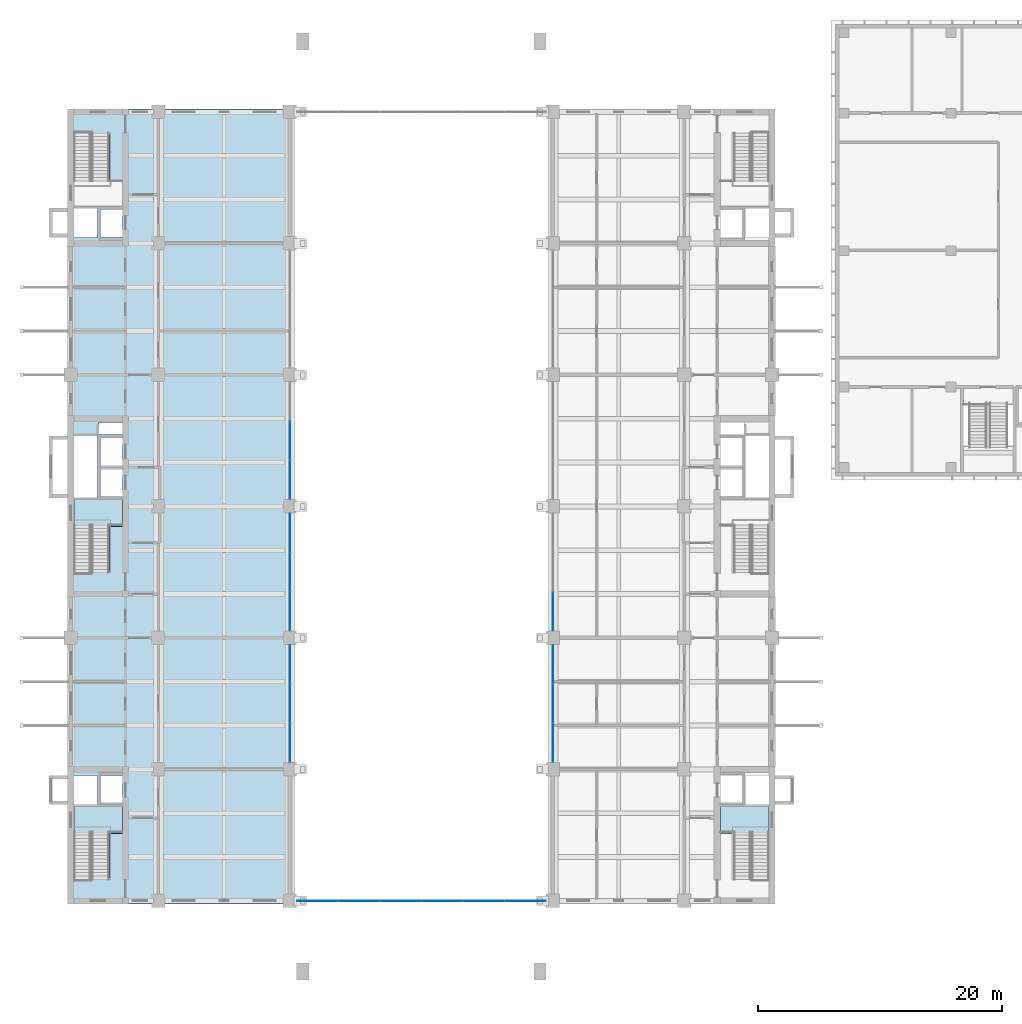
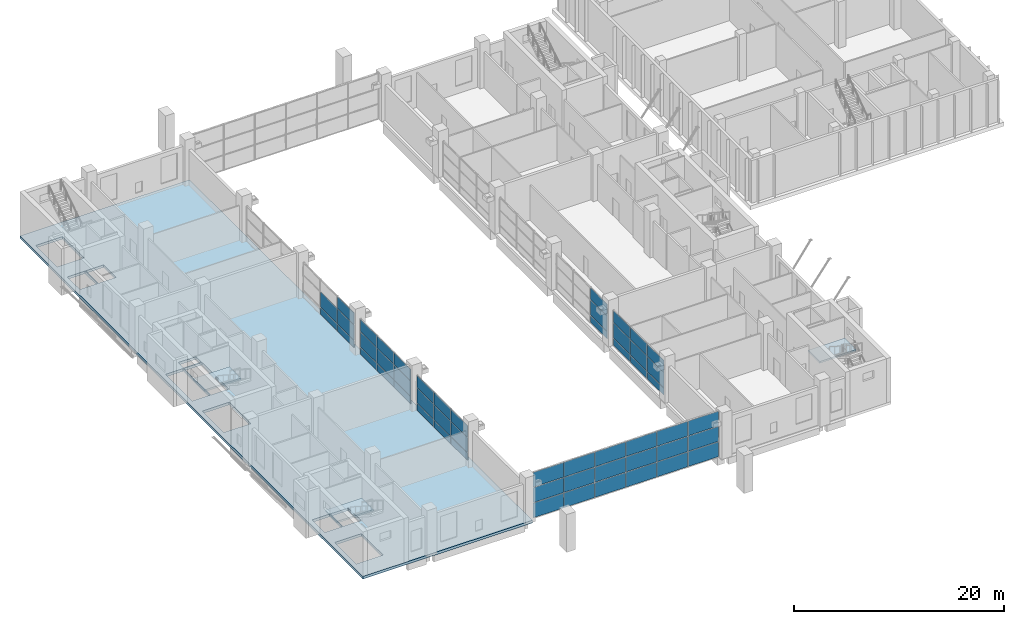
# One storey, part 14 of 38: 53 plates, 4 slabs, 9 elements without a shape of their own.
"""IFC4 building model written with IfcOpenShell, lengths in metres."""

from ifc_helpers import new_model, si_unit, direction, frame, origin, origin_2d, place, context, subcontext, project, spatial, polyline, rectangle, outline, extrude, material, layer, layer_set, type_object, element, aggregate, save


model = new_model("IFC4")

# Units and contexts
model_context = context("Model", 3, precision=1e-05, world=origin(), true_north=direction((0.0, 1.0)))
body_context = subcontext(model_context, "Body", "Model", "MODEL_VIEW")
ifc_project = project(units=[si_unit("LENGTHUNIT", "METRE"), si_unit("AREAUNIT", "SQUARE_METRE"), si_unit("VOLUMEUNIT", "CUBIC_METRE"), si_unit("PLANEANGLEUNIT", "RADIAN"), si_unit("MASSUNIT", "GRAM", prefix="KILO")], contexts=[model_context])

# Site, building, storey
site_placement = place(None, origin())
site = spatial("IfcSite", under=ifc_project, at=site_placement, CompositionType="ELEMENT")
building_placement = place(site_placement, origin())
building = spatial("IfcBuilding", under=site, at=building_placement, Name="Basin Gate Institute", CompositionType="ELEMENT")
storey_placement = place(building_placement, frame((0.0, 0.0, 16.800048828125)))
storey = spatial("IfcBuildingStorey", under=building, at=storey_placement, Name="L03", CompositionType="ELEMENT", Elevation=16.800048828125)

# Curtain wall, plates
ifc_material_1 = material(Name="Aluminium and glass curtain wall", Category="aluminium")
ifc_layer_1 = layer(ifc_material_1, 0.14990234375)
ifc_layer_set_1 = layer_set([ifc_layer_1], Name="Atrium curtain wall CW81")
curtain_wall_type_1 = type_object("IfcCurtainWallType", Name="Atrium curtain wall CW81", PredefinedType="NOTDEFINED", material=ifc_layer_set_1)
curtain_wall_1_placement = place(storey_placement, origin())
curtain_wall_1 = element("IfcCurtainWall", 1, at=curtain_wall_1_placement, inside=storey, type_object=curtain_wall_type_1, material=ifc_layer_set_1, Name="Atrium end screen S L03", PredefinedType="NOTDEFINED")
ifc_material_2 = material(Name="Toughened glass", Category="glass")
ifc_layer_2 = layer(ifc_material_2, 0.028076171875)
ifc_layer_set_2 = layer_set([ifc_layer_2], Name="Atrium glass panel PN81")
plate_type_1 = type_object("IfcPlateType", Name="Atrium glass panel PN81", PredefinedType="CURTAIN_PANEL", material=ifc_layer_set_2)
plate_1_placement = place(storey_placement, frame((81.473388671875, 35.10009765625, 0.06005859375), z_axis=(0.0, 0.0, 1.0), x_axis=(1.0, 0.0, 0.0)))
plate_1 = element("IfcPlate", 2, at=plate_1_placement, type_object=plate_type_1, material=ifc_layer_set_2, Name="CW81 panel 1.1", PredefinedType="CURTAIN_PANEL", context=body_context, shape_type="SweptSolid", body=[
    extrude(rectangle(XDim=3.32666015625, YDim=0.028076171875, at=origin_2d()), origin(), (0.0, 0.0, 1.0), 1.7099609375),
])
plate_2_placement = place(storey_placement, frame((81.473388671875, 35.10009765625, 1.830078125), z_axis=(0.0, 0.0, 1.0), x_axis=(1.0, 0.0, 0.0)))
plate_2 = element("IfcPlate", 3, at=plate_2_placement, type_object=plate_type_1, material=ifc_layer_set_2, Name="CW81 panel 1.2", PredefinedType="CURTAIN_PANEL", context=body_context, shape_type="SweptSolid", body=[
    extrude(rectangle(XDim=3.32666015625, YDim=0.028076171875, at=origin_2d()), origin(), (0.0, 0.0, 1.0), 1.739990234375),
])
plate_3_placement = place(storey_placement, frame((81.473388671875, 35.10009765625, 3.6298828125), z_axis=(0.0, 0.0, 1.0), x_axis=(1.0, 0.0, 0.0)))
plate_3 = element("IfcPlate", 4, at=plate_3_placement, type_object=plate_type_1, material=ifc_layer_set_2, Name="CW81 panel 1.3", PredefinedType="CURTAIN_PANEL", context=body_context, shape_type="SweptSolid", body=[
    extrude(rectangle(XDim=3.32666015625, YDim=0.028076171875, at=origin_2d()), origin(), (0.0, 0.0, 1.0), 1.7099609375),
])
plate_4_placement = place(storey_placement, frame((84.875, 35.10009765625, 0.06005859375), z_axis=(0.0, 0.0, 1.0), x_axis=(1.0, 0.0, 0.0)))
plate_4 = element("IfcPlate", 5, at=plate_4_placement, type_object=plate_type_1, material=ifc_layer_set_2, Name="CW81 panel 2.1", PredefinedType="CURTAIN_PANEL", context=body_context, shape_type="SweptSolid", body=[
    extrude(rectangle(XDim=3.356689453125, YDim=0.028076171875, at=origin_2d()), origin(), (0.0, 0.0, 1.0), 1.7099609375),
])
plate_5_placement = place(storey_placement, frame((84.875, 35.10009765625, 1.830078125), z_axis=(0.0, 0.0, 1.0), x_axis=(1.0, 0.0, 0.0)))
plate_5 = element("IfcPlate", 6, at=plate_5_placement, type_object=plate_type_1, material=ifc_layer_set_2, Name="CW81 panel 2.2", PredefinedType="CURTAIN_PANEL", context=body_context, shape_type="SweptSolid", body=[
    extrude(rectangle(XDim=3.356689453125, YDim=0.028076171875, at=origin_2d()), origin(), (0.0, 0.0, 1.0), 1.739990234375),
])
plate_6_placement = place(storey_placement, frame((84.875, 35.10009765625, 3.6298828125), z_axis=(0.0, 0.0, 1.0), x_axis=(1.0, 0.0, 0.0)))
plate_6 = element("IfcPlate", 7, at=plate_6_placement, type_object=plate_type_1, material=ifc_layer_set_2, Name="CW81 panel 2.3", PredefinedType="CURTAIN_PANEL", context=body_context, shape_type="SweptSolid", body=[
    extrude(rectangle(XDim=3.356689453125, YDim=0.028076171875, at=origin_2d()), origin(), (0.0, 0.0, 1.0), 1.7099609375),
])
plate_7_placement = place(storey_placement, frame((88.291748046875, 35.10009765625, 0.06005859375), z_axis=(0.0, 0.0, 1.0), x_axis=(1.0, 0.0, 0.0)))
plate_7 = element("IfcPlate", 8, at=plate_7_placement, type_object=plate_type_1, material=ifc_layer_set_2, Name="CW81 panel 3.1", PredefinedType="CURTAIN_PANEL", context=body_context, shape_type="SweptSolid", body=[
    extrude(rectangle(XDim=3.356689453125, YDim=0.028076171875, at=origin_2d()), origin(), (0.0, 0.0, 1.0), 1.7099609375),
])
plate_8_placement = place(storey_placement, frame((88.291748046875, 35.10009765625, 1.830078125), z_axis=(0.0, 0.0, 1.0), x_axis=(1.0, 0.0, 0.0)))
plate_8 = element("IfcPlate", 9, at=plate_8_placement, type_object=plate_type_1, material=ifc_layer_set_2, Name="CW81 panel 3.2", PredefinedType="CURTAIN_PANEL", context=body_context, shape_type="SweptSolid", body=[
    extrude(rectangle(XDim=3.356689453125, YDim=0.028076171875, at=origin_2d()), origin(), (0.0, 0.0, 1.0), 1.739990234375),
])
plate_9_placement = place(storey_placement, frame((88.291748046875, 35.10009765625, 3.6298828125), z_axis=(0.0, 0.0, 1.0), x_axis=(1.0, 0.0, 0.0)))
plate_9 = element("IfcPlate", 10, at=plate_9_placement, type_object=plate_type_1, material=ifc_layer_set_2, Name="CW81 panel 3.3", PredefinedType="CURTAIN_PANEL", context=body_context, shape_type="SweptSolid", body=[
    extrude(rectangle(XDim=3.356689453125, YDim=0.028076171875, at=origin_2d()), origin(), (0.0, 0.0, 1.0), 1.7099609375),
])
plate_10_placement = place(storey_placement, frame((91.708251953125, 35.10009765625, 0.06005859375), z_axis=(0.0, 0.0, 1.0), x_axis=(1.0, 0.0, 0.0)))
plate_10 = element("IfcPlate", 11, at=plate_10_placement, type_object=plate_type_1, material=ifc_layer_set_2, Name="CW81 panel 4.1", PredefinedType="CURTAIN_PANEL", context=body_context, shape_type="SweptSolid", body=[
    extrude(rectangle(XDim=3.356689453125, YDim=0.028076171875, at=origin_2d()), origin(), (0.0, 0.0, 1.0), 1.7099609375),
])
plate_11_placement = place(storey_placement, frame((91.708251953125, 35.10009765625, 1.830078125), z_axis=(0.0, 0.0, 1.0), x_axis=(1.0, 0.0, 0.0)))
plate_11 = element("IfcPlate", 12, at=plate_11_placement, type_object=plate_type_1, material=ifc_layer_set_2, Name="CW81 panel 4.2", PredefinedType="CURTAIN_PANEL", context=body_context, shape_type="SweptSolid", body=[
    extrude(rectangle(XDim=3.356689453125, YDim=0.028076171875, at=origin_2d()), origin(), (0.0, 0.0, 1.0), 1.739990234375),
])
plate_12_placement = place(storey_placement, frame((91.708251953125, 35.10009765625, 3.6298828125), z_axis=(0.0, 0.0, 1.0), x_axis=(1.0, 0.0, 0.0)))
plate_12 = element("IfcPlate", 13, at=plate_12_placement, type_object=plate_type_1, material=ifc_layer_set_2, Name="CW81 panel 4.3", PredefinedType="CURTAIN_PANEL", context=body_context, shape_type="SweptSolid", body=[
    extrude(rectangle(XDim=3.356689453125, YDim=0.028076171875, at=origin_2d()), origin(), (0.0, 0.0, 1.0), 1.7099609375),
])
plate_13_placement = place(storey_placement, frame((95.125, 35.10009765625, 0.06005859375), z_axis=(0.0, 0.0, 1.0), x_axis=(1.0, 0.0, 0.0)))
plate_13 = element("IfcPlate", 14, at=plate_13_placement, type_object=plate_type_1, material=ifc_layer_set_2, Name="CW81 panel 5.1", PredefinedType="CURTAIN_PANEL", context=body_context, shape_type="SweptSolid", body=[
    extrude(rectangle(XDim=3.356689453125, YDim=0.028076171875, at=origin_2d()), origin(), (0.0, 0.0, 1.0), 1.7099609375),
])
plate_14_placement = place(storey_placement, frame((95.125, 35.10009765625, 1.830078125), z_axis=(0.0, 0.0, 1.0), x_axis=(1.0, 0.0, 0.0)))
plate_14 = element("IfcPlate", 15, at=plate_14_placement, type_object=plate_type_1, material=ifc_layer_set_2, Name="CW81 panel 5.2", PredefinedType="CURTAIN_PANEL", context=body_context, shape_type="SweptSolid", body=[
    extrude(rectangle(XDim=3.356689453125, YDim=0.028076171875, at=origin_2d()), origin(), (0.0, 0.0, 1.0), 1.739990234375),
])
plate_15_placement = place(storey_placement, frame((95.125, 35.10009765625, 3.6298828125), z_axis=(0.0, 0.0, 1.0), x_axis=(1.0, 0.0, 0.0)))
plate_15 = element("IfcPlate", 16, at=plate_15_placement, type_object=plate_type_1, material=ifc_layer_set_2, Name="CW81 panel 5.3", PredefinedType="CURTAIN_PANEL", context=body_context, shape_type="SweptSolid", body=[
    extrude(rectangle(XDim=3.356689453125, YDim=0.028076171875, at=origin_2d()), origin(), (0.0, 0.0, 1.0), 1.7099609375),
])
plate_16_placement = place(storey_placement, frame((98.526611328125, 35.10009765625, 0.06005859375), z_axis=(0.0, 0.0, 1.0), x_axis=(1.0, 0.0, 0.0)))
plate_16 = element("IfcPlate", 17, at=plate_16_placement, type_object=plate_type_1, material=ifc_layer_set_2, Name="CW81 panel 6.1", PredefinedType="CURTAIN_PANEL", context=body_context, shape_type="SweptSolid", body=[
    extrude(rectangle(XDim=3.32666015625, YDim=0.028076171875, at=origin_2d()), origin(), (0.0, 0.0, 1.0), 1.7099609375),
])
plate_17_placement = place(storey_placement, frame((98.526611328125, 35.10009765625, 1.830078125), z_axis=(0.0, 0.0, 1.0), x_axis=(1.0, 0.0, 0.0)))
plate_17 = element("IfcPlate", 18, at=plate_17_placement, type_object=plate_type_1, material=ifc_layer_set_2, Name="CW81 panel 6.2", PredefinedType="CURTAIN_PANEL", context=body_context, shape_type="SweptSolid", body=[
    extrude(rectangle(XDim=3.32666015625, YDim=0.028076171875, at=origin_2d()), origin(), (0.0, 0.0, 1.0), 1.739990234375),
])
plate_18_placement = place(storey_placement, frame((98.526611328125, 35.10009765625, 3.6298828125), z_axis=(0.0, 0.0, 1.0), x_axis=(1.0, 0.0, 0.0)))
plate_18 = element("IfcPlate", 19, at=plate_18_placement, type_object=plate_type_1, material=ifc_layer_set_2, Name="CW81 panel 6.3", PredefinedType="CURTAIN_PANEL", context=body_context, shape_type="SweptSolid", body=[
    extrude(rectangle(XDim=3.32666015625, YDim=0.028076171875, at=origin_2d()), origin(), (0.0, 0.0, 1.0), 1.7099609375),
])
aggregate(curtain_wall_1, [plate_1, plate_2, plate_3, plate_4, plate_5, plate_6, plate_7, plate_8, plate_9, plate_10, plate_11, plate_12, plate_13, plate_14, plate_15, plate_16, plate_17, plate_18])

# Slab
ifc_material_3 = material(Name="Concrete 40 MPa", Category="concrete")
ifc_layer_3 = layer(ifc_material_3, 0.300048828125)
ifc_layer_set_3 = layer_set([ifc_layer_3], Name="Concrete 40 MPa")
slab_type_1 = type_object("IfcSlabType", Name="Slab SL3 R180", PredefinedType="FLOOR", material=ifc_layer_set_3)
slab_1_placement = place(storey_placement, frame((0.0, 0.0, -0.300048828125)))
element("IfcSlab", 20, at=slab_1_placement, inside=storey, type_object=slab_type_1, material=ifc_layer_set_3, Name="SLAB/L03/W", PredefinedType="FLOOR", context=body_context, shape_type="SweptSolid", body=[
    extrude(outline(polyline([(60.949951171875, 34.85009765625), (79.60009765625, 34.85009765625), (79.60009765625, 100.14990234375), (60.949951171875, 100.14990234375), (60.949951171875, 34.85009765625)]), holes=[polyline([(61.449951171875, 36.969970703125), (64.39990234375, 36.969970703125), (64.39990234375, 41.070068359375), (61.449951171875, 41.070068359375), (61.449951171875, 36.969970703125)]), polyline([(61.449951171875, 62.169921875), (64.39990234375, 62.169921875), (64.39990234375, 66.27001953125), (61.449951171875, 66.27001953125), (61.449951171875, 62.169921875)]), polyline([(61.449951171875, 93.929931640625), (64.39990234375, 93.929931640625), (64.39990234375, 98.030029296875), (61.449951171875, 98.030029296875), (61.449951171875, 93.929931640625)]), polyline([(61.449951171875, 43.0), (63.39990234375, 43.0), (63.39990234375, 45.39990234375), (61.449951171875, 45.39990234375), (61.449951171875, 43.0)]), polyline([(61.449951171875, 68.199951171875), (63.39990234375, 68.199951171875), (63.39990234375, 73.300048828125), (61.449951171875, 73.300048828125), (61.449951171875, 68.199951171875)]), polyline([(63.5, 73.39990234375), (65.449951171875, 73.39990234375), (65.449951171875, 74.39990234375), (63.5, 74.39990234375), (63.5, 73.39990234375)]), polyline([(61.449951171875, 89.60009765625), (63.39990234375, 89.60009765625), (63.39990234375, 92.0), (61.449951171875, 92.0), (61.449951171875, 89.60009765625)]), polyline([(63.5, 43.0), (65.449951171875, 43.0), (65.449951171875, 45.39990234375), (63.5, 45.39990234375), (63.5, 43.0)]), polyline([(65.449951171875, 68.199951171875), (63.5, 68.199951171875), (63.5, 73.300048828125), (65.449951171875, 73.300048828125), (65.449951171875, 68.199951171875)]), polyline([(63.5, 89.60009765625), (65.449951171875, 89.60009765625), (65.449951171875, 92.0), (63.5, 92.0), (63.5, 89.60009765625)])]), origin(), (0.0, 0.0, 1.0), 0.300048828125),
])

# Curtain wall, plates
ifc_material_4 = material(Name="Fire-resistant glazing in steel-free frame", Category="steel")
ifc_layer_4 = layer(ifc_material_4, 0.199951171875)
ifc_layer_set_4 = layer_set([ifc_layer_4], Name="Fire-resistant glazing in steel-free frame")
curtain_wall_type_2 = type_object("IfcCurtainWallType", Name="Atrium rated curtain wall CW3", PredefinedType="NOTDEFINED", material=ifc_layer_set_4)
curtain_wall_2_placement = place(storey_placement, origin())
curtain_wall_2 = element("IfcCurtainWall", 21, at=curtain_wall_2_placement, inside=storey, type_object=curtain_wall_type_2, material=ifc_layer_set_4, Name="Atrium rated curtain wall W wing atrium bay 2 L03", PredefinedType="NOTDEFINED")
ifc_material_5 = material(Name="Fire-resisting board panel")
ifc_layer_5 = layer(ifc_material_5, 0.050048828125)
ifc_layer_set_5 = layer_set([ifc_layer_5], Name="Spandrel panel PN4")
plate_type_2 = type_object("IfcPlateType", Name="Spandrel panel PN4", PredefinedType="CURTAIN_PANEL", material=ifc_layer_set_5)
plate_19_placement = place(storey_placement, frame((79.199951171875, 48.081787109375, 0.059814453125), z_axis=(0.0, 0.0, 1.0), x_axis=(0.0, 1.0, 0.0)))
plate_19 = element("IfcPlate", 22, at=plate_19_placement, type_object=plate_type_2, material=ifc_layer_set_5, Name="CW3 spandrel panel 1.1", PredefinedType="CURTAIN_PANEL", context=body_context, shape_type="SweptSolid", body=[
    extrude(rectangle(XDim=3.143310546875, YDim=0.050048828125, at=origin_2d()), origin(), (0.0, 0.0, 1.0), 0.81005859375),
])
plate_20_placement = place(storey_placement, frame((79.199951171875, 48.081787109375, 2.72998046875), z_axis=(0.0, 0.0, 1.0), x_axis=(0.0, 1.0, 0.0)))
plate_20 = element("IfcPlate", 23, at=plate_20_placement, type_object=plate_type_2, material=ifc_layer_set_5, Name="CW3 spandrel panel 1.3", PredefinedType="CURTAIN_PANEL", context=body_context, shape_type="SweptSolid", body=[
    extrude(rectangle(XDim=3.143310546875, YDim=0.050048828125, at=origin_2d()), origin(), (0.0, 0.0, 1.0), 1.360107421875),
])
plate_21_placement = place(storey_placement, frame((79.199951171875, 51.300048828125, 0.059814453125), z_axis=(0.0, 0.0, 1.0), x_axis=(0.0, 1.0, 0.0)))
plate_21 = element("IfcPlate", 24, at=plate_21_placement, type_object=plate_type_2, material=ifc_layer_set_5, Name="CW3 spandrel panel 2.1", PredefinedType="CURTAIN_PANEL", context=body_context, shape_type="SweptSolid", body=[
    extrude(rectangle(XDim=3.17333984375, YDim=0.050048828125, at=origin_2d()), origin(), (0.0, 0.0, 1.0), 0.81005859375),
])
plate_22_placement = place(storey_placement, frame((79.199951171875, 51.300048828125, 2.72998046875), z_axis=(0.0, 0.0, 1.0), x_axis=(0.0, 1.0, 0.0)))
plate_22 = element("IfcPlate", 25, at=plate_22_placement, type_object=plate_type_2, material=ifc_layer_set_5, Name="CW3 spandrel panel 2.3", PredefinedType="CURTAIN_PANEL", context=body_context, shape_type="SweptSolid", body=[
    extrude(rectangle(XDim=3.17333984375, YDim=0.050048828125, at=origin_2d()), origin(), (0.0, 0.0, 1.0), 1.360107421875),
])
plate_23_placement = place(storey_placement, frame((79.199951171875, 54.518310546875, 0.059814453125), z_axis=(0.0, 0.0, 1.0), x_axis=(0.0, 1.0, 0.0)))
plate_23 = element("IfcPlate", 26, at=plate_23_placement, type_object=plate_type_2, material=ifc_layer_set_5, Name="CW3 spandrel panel 3.1", PredefinedType="CURTAIN_PANEL", context=body_context, shape_type="SweptSolid", body=[
    extrude(rectangle(XDim=3.143310546875, YDim=0.050048828125, at=origin_2d()), origin(), (0.0, 0.0, 1.0), 0.81005859375),
])
plate_24_placement = place(storey_placement, frame((79.199951171875, 54.518310546875, 2.72998046875), z_axis=(0.0, 0.0, 1.0), x_axis=(0.0, 1.0, 0.0)))
plate_24 = element("IfcPlate", 27, at=plate_24_placement, type_object=plate_type_2, material=ifc_layer_set_5, Name="CW3 spandrel panel 3.3", PredefinedType="CURTAIN_PANEL", context=body_context, shape_type="SweptSolid", body=[
    extrude(rectangle(XDim=3.143310546875, YDim=0.050048828125, at=origin_2d()), origin(), (0.0, 0.0, 1.0), 1.360107421875),
])

curtain_wall_3_placement = place(storey_placement, origin())
curtain_wall_3 = element("IfcCurtainWall", 28, at=curtain_wall_3_placement, inside=storey, type_object=curtain_wall_type_2, material=ifc_layer_set_4, Name="Atrium rated curtain wall W wing atrium bay 3 L03", PredefinedType="NOTDEFINED")
plate_25_placement = place(storey_placement, frame((79.199951171875, 58.881591796875, 0.059814453125), z_axis=(0.0, 0.0, 1.0), x_axis=(0.0, 1.0, 0.0)))
plate_25 = element("IfcPlate", 29, at=plate_25_placement, type_object=plate_type_2, material=ifc_layer_set_5, Name="CW3 spandrel panel 1.1", PredefinedType="CURTAIN_PANEL", context=body_context, shape_type="SweptSolid", body=[
    extrude(rectangle(XDim=3.143310546875, YDim=0.050048828125, at=origin_2d()), origin(), (0.0, 0.0, 1.0), 0.81005859375),
])
plate_26_placement = place(storey_placement, frame((79.199951171875, 58.881591796875, 2.72998046875), z_axis=(0.0, 0.0, 1.0), x_axis=(0.0, 1.0, 0.0)))
plate_26 = element("IfcPlate", 30, at=plate_26_placement, type_object=plate_type_2, material=ifc_layer_set_5, Name="CW3 spandrel panel 1.3", PredefinedType="CURTAIN_PANEL", context=body_context, shape_type="SweptSolid", body=[
    extrude(rectangle(XDim=3.143310546875, YDim=0.050048828125, at=origin_2d()), origin(), (0.0, 0.0, 1.0), 1.360107421875),
])
plate_27_placement = place(storey_placement, frame((79.199951171875, 62.10009765625, 0.059814453125), z_axis=(0.0, 0.0, 1.0), x_axis=(0.0, 1.0, 0.0)))
plate_27 = element("IfcPlate", 31, at=plate_27_placement, type_object=plate_type_2, material=ifc_layer_set_5, Name="CW3 spandrel panel 2.1", PredefinedType="CURTAIN_PANEL", context=body_context, shape_type="SweptSolid", body=[
    extrude(rectangle(XDim=3.17333984375, YDim=0.050048828125, at=origin_2d()), origin(), (0.0, 0.0, 1.0), 0.81005859375),
])
plate_28_placement = place(storey_placement, frame((79.199951171875, 62.10009765625, 2.72998046875), z_axis=(0.0, 0.0, 1.0), x_axis=(0.0, 1.0, 0.0)))
plate_28 = element("IfcPlate", 32, at=plate_28_placement, type_object=plate_type_2, material=ifc_layer_set_5, Name="CW3 spandrel panel 2.3", PredefinedType="CURTAIN_PANEL", context=body_context, shape_type="SweptSolid", body=[
    extrude(rectangle(XDim=3.17333984375, YDim=0.050048828125, at=origin_2d()), origin(), (0.0, 0.0, 1.0), 1.360107421875),
])
plate_29_placement = place(storey_placement, frame((79.199951171875, 65.318359375, 0.059814453125), z_axis=(0.0, 0.0, 1.0), x_axis=(0.0, 1.0, 0.0)))
plate_29 = element("IfcPlate", 33, at=plate_29_placement, type_object=plate_type_2, material=ifc_layer_set_5, Name="CW3 spandrel panel 3.1", PredefinedType="CURTAIN_PANEL", context=body_context, shape_type="SweptSolid", body=[
    extrude(rectangle(XDim=3.143310546875, YDim=0.050048828125, at=origin_2d()), origin(), (0.0, 0.0, 1.0), 0.81005859375),
])
plate_30_placement = place(storey_placement, frame((79.199951171875, 65.318359375, 2.72998046875), z_axis=(0.0, 0.0, 1.0), x_axis=(0.0, 1.0, 0.0)))
plate_30 = element("IfcPlate", 34, at=plate_30_placement, type_object=plate_type_2, material=ifc_layer_set_5, Name="CW3 spandrel panel 3.3", PredefinedType="CURTAIN_PANEL", context=body_context, shape_type="SweptSolid", body=[
    extrude(rectangle(XDim=3.143310546875, YDim=0.050048828125, at=origin_2d()), origin(), (0.0, 0.0, 1.0), 1.360107421875),
])

curtain_wall_4_placement = place(storey_placement, origin())
curtain_wall_4 = element("IfcCurtainWall", 35, at=curtain_wall_4_placement, inside=storey, type_object=curtain_wall_type_2, material=ifc_layer_set_4, Name="Atrium rated curtain wall W wing atrium bay 4 L03", PredefinedType="NOTDEFINED")
plate_31_placement = place(storey_placement, frame((79.199951171875, 69.681640625, 0.059814453125), z_axis=(0.0, 0.0, 1.0), x_axis=(0.0, 1.0, 0.0)))
plate_31 = element("IfcPlate", 36, at=plate_31_placement, type_object=plate_type_2, material=ifc_layer_set_5, Name="CW3 spandrel panel 1.1", PredefinedType="CURTAIN_PANEL", context=body_context, shape_type="SweptSolid", body=[
    extrude(rectangle(XDim=3.143310546875, YDim=0.050048828125, at=origin_2d()), origin(), (0.0, 0.0, 1.0), 0.81005859375),
])
plate_32_placement = place(storey_placement, frame((79.199951171875, 69.681640625, 2.72998046875), z_axis=(0.0, 0.0, 1.0), x_axis=(0.0, 1.0, 0.0)))
plate_32 = element("IfcPlate", 37, at=plate_32_placement, type_object=plate_type_2, material=ifc_layer_set_5, Name="CW3 spandrel panel 1.3", PredefinedType="CURTAIN_PANEL", context=body_context, shape_type="SweptSolid", body=[
    extrude(rectangle(XDim=3.143310546875, YDim=0.050048828125, at=origin_2d()), origin(), (0.0, 0.0, 1.0), 1.360107421875),
])
plate_33_placement = place(storey_placement, frame((79.199951171875, 72.89990234375, 0.059814453125), z_axis=(0.0, 0.0, 1.0), x_axis=(0.0, 1.0, 0.0)))
plate_33 = element("IfcPlate", 38, at=plate_33_placement, type_object=plate_type_2, material=ifc_layer_set_5, Name="CW3 spandrel panel 2.1", PredefinedType="CURTAIN_PANEL", context=body_context, shape_type="SweptSolid", body=[
    extrude(rectangle(XDim=3.17333984375, YDim=0.050048828125, at=origin_2d()), origin(), (0.0, 0.0, 1.0), 0.81005859375),
])

curtain_wall_5_placement = place(storey_placement, origin())
curtain_wall_5 = element("IfcCurtainWall", 39, at=curtain_wall_5_placement, inside=storey, type_object=curtain_wall_type_2, material=ifc_layer_set_4, Name="Atrium rated curtain wall E wing atrium bay 2 L03", PredefinedType="NOTDEFINED")
plate_34_placement = place(storey_placement, frame((100.800048828125, 48.081787109375, 0.059814453125), z_axis=(0.0, 0.0, 1.0), x_axis=(0.0, 1.0, 0.0)))
plate_34 = element("IfcPlate", 40, at=plate_34_placement, type_object=plate_type_2, material=ifc_layer_set_5, Name="CW3 spandrel panel 1.1", PredefinedType="CURTAIN_PANEL", context=body_context, shape_type="SweptSolid", body=[
    extrude(rectangle(XDim=3.143310546875, YDim=0.050048828125, at=origin_2d()), origin(), (0.0, 0.0, 1.0), 0.81005859375),
])
plate_35_placement = place(storey_placement, frame((100.800048828125, 48.081787109375, 2.72998046875), z_axis=(0.0, 0.0, 1.0), x_axis=(0.0, 1.0, 0.0)))
plate_35 = element("IfcPlate", 41, at=plate_35_placement, type_object=plate_type_2, material=ifc_layer_set_5, Name="CW3 spandrel panel 1.3", PredefinedType="CURTAIN_PANEL", context=body_context, shape_type="SweptSolid", body=[
    extrude(rectangle(XDim=3.143310546875, YDim=0.050048828125, at=origin_2d()), origin(), (0.0, 0.0, 1.0), 1.360107421875),
])
plate_36_placement = place(storey_placement, frame((100.800048828125, 51.300048828125, 0.059814453125), z_axis=(0.0, 0.0, 1.0), x_axis=(0.0, 1.0, 0.0)))
plate_36 = element("IfcPlate", 42, at=plate_36_placement, type_object=plate_type_2, material=ifc_layer_set_5, Name="CW3 spandrel panel 2.1", PredefinedType="CURTAIN_PANEL", context=body_context, shape_type="SweptSolid", body=[
    extrude(rectangle(XDim=3.17333984375, YDim=0.050048828125, at=origin_2d()), origin(), (0.0, 0.0, 1.0), 0.81005859375),
])
plate_37_placement = place(storey_placement, frame((100.800048828125, 51.300048828125, 2.72998046875), z_axis=(0.0, 0.0, 1.0), x_axis=(0.0, 1.0, 0.0)))
plate_37 = element("IfcPlate", 43, at=plate_37_placement, type_object=plate_type_2, material=ifc_layer_set_5, Name="CW3 spandrel panel 2.3", PredefinedType="CURTAIN_PANEL", context=body_context, shape_type="SweptSolid", body=[
    extrude(rectangle(XDim=3.17333984375, YDim=0.050048828125, at=origin_2d()), origin(), (0.0, 0.0, 1.0), 1.360107421875),
])
plate_38_placement = place(storey_placement, frame((100.800048828125, 54.518310546875, 0.059814453125), z_axis=(0.0, 0.0, 1.0), x_axis=(0.0, 1.0, 0.0)))
plate_38 = element("IfcPlate", 44, at=plate_38_placement, type_object=plate_type_2, material=ifc_layer_set_5, Name="CW3 spandrel panel 3.1", PredefinedType="CURTAIN_PANEL", context=body_context, shape_type="SweptSolid", body=[
    extrude(rectangle(XDim=3.143310546875, YDim=0.050048828125, at=origin_2d()), origin(), (0.0, 0.0, 1.0), 0.81005859375),
])
plate_39_placement = place(storey_placement, frame((100.800048828125, 54.518310546875, 2.72998046875), z_axis=(0.0, 0.0, 1.0), x_axis=(0.0, 1.0, 0.0)))
plate_39 = element("IfcPlate", 45, at=plate_39_placement, type_object=plate_type_2, material=ifc_layer_set_5, Name="CW3 spandrel panel 3.3", PredefinedType="CURTAIN_PANEL", context=body_context, shape_type="SweptSolid", body=[
    extrude(rectangle(XDim=3.143310546875, YDim=0.050048828125, at=origin_2d()), origin(), (0.0, 0.0, 1.0), 1.360107421875),
])

curtain_wall_6_placement = place(storey_placement, origin())
curtain_wall_6 = element("IfcCurtainWall", 46, at=curtain_wall_6_placement, inside=storey, type_object=curtain_wall_type_2, material=ifc_layer_set_4, Name="Atrium rated curtain wall E wing atrium bay 3 L03", PredefinedType="NOTDEFINED")
plate_40_placement = place(storey_placement, frame((100.800048828125, 58.881591796875, 0.059814453125), z_axis=(0.0, 0.0, 1.0), x_axis=(0.0, 1.0, 0.0)))
plate_40 = element("IfcPlate", 47, at=plate_40_placement, type_object=plate_type_2, material=ifc_layer_set_5, Name="CW3 spandrel panel 1.1", PredefinedType="CURTAIN_PANEL", context=body_context, shape_type="SweptSolid", body=[
    extrude(rectangle(XDim=3.143310546875, YDim=0.050048828125, at=origin_2d()), origin(), (0.0, 0.0, 1.0), 0.81005859375),
])
plate_41_placement = place(storey_placement, frame((100.800048828125, 58.881591796875, 2.72998046875), z_axis=(0.0, 0.0, 1.0), x_axis=(0.0, 1.0, 0.0)))
plate_41 = element("IfcPlate", 48, at=plate_41_placement, type_object=plate_type_2, material=ifc_layer_set_5, Name="CW3 spandrel panel 1.3", PredefinedType="CURTAIN_PANEL", context=body_context, shape_type="SweptSolid", body=[
    extrude(rectangle(XDim=3.143310546875, YDim=0.050048828125, at=origin_2d()), origin(), (0.0, 0.0, 1.0), 1.360107421875),
])

# Stair, slab
ifc_material_6 = material(Name="Concrete 40 MPa", Category="concrete")
stair_type = type_object("IfcStairType", Name="Stair ST", PredefinedType="HALF_TURN_STAIR", material=ifc_material_6)
stair_1_placement = place(storey_placement, origin())
stair_1 = element("IfcStair", 49, at=stair_1_placement, inside=storey, type_object=stair_type, material=ifc_material_6, Name="Special safe stair ST-WS L03", PredefinedType="HALF_TURN_STAIR")
ifc_material_7 = material(Name="Concrete 40 MPa", Category="concrete")
ifc_layer_6 = layer(ifc_material_7, 0.199951171875)
ifc_layer_set_6 = layer_set([ifc_layer_6], Name="Concrete 40 MPa")
slab_type_2 = type_object("IfcSlabType", Name="Stair landing LN REI 180", PredefinedType="LANDING", material=ifc_layer_set_6)
slab_2_placement = place(storey_placement, frame((0.0, 0.0, 2.5)))
slab_2 = element("IfcSlab", 50, at=slab_2_placement, type_object=slab_type_2, material=ifc_layer_set_6, Name="Stair landing ST-WS-L1 L03", PredefinedType="LANDING", context=body_context, shape_type="SweptSolid", body=[
    extrude(outline(polyline([(61.449951171875, 40.64990234375), (65.449951171875, 40.64990234375), (65.449951171875, 42.85009765625), (61.449951171875, 42.85009765625), (61.449951171875, 40.64990234375)])), origin(), (0.0, 0.0, 1.0), 0.199951171875),
])
aggregate(stair_1, [slab_2])

stair_2_placement = place(storey_placement, origin())
stair_2 = element("IfcStair", 51, at=stair_2_placement, inside=storey, type_object=stair_type, material=ifc_material_6, Name="Special safe stair ST-WM L03", PredefinedType="HALF_TURN_STAIR")
slab_3_placement = place(storey_placement, frame((0.0, 0.0, 2.5)))
slab_3 = element("IfcSlab", 52, at=slab_3_placement, type_object=slab_type_2, material=ifc_layer_set_6, Name="Stair landing ST-WM-L1 L03", PredefinedType="LANDING", context=body_context, shape_type="SweptSolid", body=[
    extrude(outline(polyline([(61.449951171875, 65.85009765625), (65.449951171875, 65.85009765625), (65.449951171875, 68.050048828125), (61.449951171875, 68.050048828125), (61.449951171875, 65.85009765625)])), origin(), (0.0, 0.0, 1.0), 0.199951171875),
])
aggregate(stair_2, [slab_3])

stair_3_placement = place(storey_placement, origin())
stair_3 = element("IfcStair", 53, at=stair_3_placement, inside=storey, type_object=stair_type, material=ifc_material_6, Name="Special safe stair ST-ES L03", PredefinedType="HALF_TURN_STAIR")
slab_4_placement = place(storey_placement, frame((0.0, 0.0, 2.5)))
slab_4 = element("IfcSlab", 54, at=slab_4_placement, type_object=slab_type_2, material=ifc_layer_set_6, Name="Stair landing ST-ES-L1 L03", PredefinedType="LANDING", context=body_context, shape_type="SweptSolid", body=[
    extrude(outline(polyline([(118.550048828125, 42.85009765625), (114.550048828125, 42.85009765625), (114.550048828125, 40.64990234375), (118.550048828125, 40.64990234375), (118.550048828125, 42.85009765625)])), origin(), (0.0, 0.0, 1.0), 0.199951171875),
])
aggregate(stair_3, [slab_4])

# Plate
ifc_material_8 = material(Name="Fire-resistant glazing", Category="glass")
ifc_layer_7 = layer(ifc_material_8, 0.0400390625)
ifc_layer_set_7 = layer_set([ifc_layer_7], Name="Vision panel PN3")
plate_type_3 = type_object("IfcPlateType", Name="Vision panel PN3", PredefinedType="CURTAIN_PANEL", material=ifc_layer_set_7)
plate_42_placement = place(storey_placement, frame((79.199951171875, 48.081787109375, 0.93017578125), z_axis=(0.0, 0.0, 1.0), x_axis=(0.0, 1.0, 0.0)))
plate_42 = element("IfcPlate", 55, at=plate_42_placement, type_object=plate_type_3, material=ifc_layer_set_7, Name="CW3 vision panel 1.2", PredefinedType="CURTAIN_PANEL", context=body_context, shape_type="SweptSolid", body=[
    extrude(rectangle(XDim=3.143310546875, YDim=0.0400390625, at=origin_2d()), origin(), (0.0, 0.0, 1.0), 1.739990234375),
])

plate_43_placement = place(storey_placement, frame((79.199951171875, 51.300048828125, 0.93017578125), z_axis=(0.0, 0.0, 1.0), x_axis=(0.0, 1.0, 0.0)))
plate_43 = element("IfcPlate", 56, at=plate_43_placement, type_object=plate_type_3, material=ifc_layer_set_7, Name="CW3 vision panel 2.2", PredefinedType="CURTAIN_PANEL", context=body_context, shape_type="SweptSolid", body=[
    extrude(rectangle(XDim=3.17333984375, YDim=0.0400390625, at=origin_2d()), origin(), (0.0, 0.0, 1.0), 1.739990234375),
])

plate_44_placement = place(storey_placement, frame((79.199951171875, 54.518310546875, 0.93017578125), z_axis=(0.0, 0.0, 1.0), x_axis=(0.0, 1.0, 0.0)))
plate_44 = element("IfcPlate", 57, at=plate_44_placement, type_object=plate_type_3, material=ifc_layer_set_7, Name="CW3 vision panel 3.2", PredefinedType="CURTAIN_PANEL", context=body_context, shape_type="SweptSolid", body=[
    extrude(rectangle(XDim=3.143310546875, YDim=0.0400390625, at=origin_2d()), origin(), (0.0, 0.0, 1.0), 1.739990234375),
])

aggregate(curtain_wall_2, [plate_19, plate_42, plate_20, plate_21, plate_43, plate_22, plate_23, plate_44, plate_24])

plate_45_placement = place(storey_placement, frame((79.199951171875, 58.881591796875, 0.93017578125), z_axis=(0.0, 0.0, 1.0), x_axis=(0.0, 1.0, 0.0)))
plate_45 = element("IfcPlate", 58, at=plate_45_placement, type_object=plate_type_3, material=ifc_layer_set_7, Name="CW3 vision panel 1.2", PredefinedType="CURTAIN_PANEL", context=body_context, shape_type="SweptSolid", body=[
    extrude(rectangle(XDim=3.143310546875, YDim=0.0400390625, at=origin_2d()), origin(), (0.0, 0.0, 1.0), 1.739990234375),
])

plate_46_placement = place(storey_placement, frame((79.199951171875, 62.10009765625, 0.93017578125), z_axis=(0.0, 0.0, 1.0), x_axis=(0.0, 1.0, 0.0)))
plate_46 = element("IfcPlate", 59, at=plate_46_placement, type_object=plate_type_3, material=ifc_layer_set_7, Name="CW3 vision panel 2.2", PredefinedType="CURTAIN_PANEL", context=body_context, shape_type="SweptSolid", body=[
    extrude(rectangle(XDim=3.17333984375, YDim=0.0400390625, at=origin_2d()), origin(), (0.0, 0.0, 1.0), 1.739990234375),
])

plate_47_placement = place(storey_placement, frame((79.199951171875, 65.318359375, 0.93017578125), z_axis=(0.0, 0.0, 1.0), x_axis=(0.0, 1.0, 0.0)))
plate_47 = element("IfcPlate", 60, at=plate_47_placement, type_object=plate_type_3, material=ifc_layer_set_7, Name="CW3 vision panel 3.2", PredefinedType="CURTAIN_PANEL", context=body_context, shape_type="SweptSolid", body=[
    extrude(rectangle(XDim=3.143310546875, YDim=0.0400390625, at=origin_2d()), origin(), (0.0, 0.0, 1.0), 1.739990234375),
])

aggregate(curtain_wall_3, [plate_25, plate_45, plate_26, plate_27, plate_46, plate_28, plate_29, plate_47, plate_30])

plate_48_placement = place(storey_placement, frame((79.199951171875, 69.681640625, 0.93017578125), z_axis=(0.0, 0.0, 1.0), x_axis=(0.0, 1.0, 0.0)))
plate_48 = element("IfcPlate", 61, at=plate_48_placement, type_object=plate_type_3, material=ifc_layer_set_7, Name="CW3 vision panel 1.2", PredefinedType="CURTAIN_PANEL", context=body_context, shape_type="SweptSolid", body=[
    extrude(rectangle(XDim=3.143310546875, YDim=0.0400390625, at=origin_2d()), origin(), (0.0, 0.0, 1.0), 1.739990234375),
])

plate_49_placement = place(storey_placement, frame((79.199951171875, 72.89990234375, 0.93017578125), z_axis=(0.0, 0.0, 1.0), x_axis=(0.0, 1.0, 0.0)))
plate_49 = element("IfcPlate", 62, at=plate_49_placement, type_object=plate_type_3, material=ifc_layer_set_7, Name="CW3 vision panel 2.2", PredefinedType="CURTAIN_PANEL", context=body_context, shape_type="SweptSolid", body=[
    extrude(rectangle(XDim=3.17333984375, YDim=0.0400390625, at=origin_2d()), origin(), (0.0, 0.0, 1.0), 1.739990234375),
])

aggregate(curtain_wall_4, [plate_31, plate_48, plate_32, plate_33, plate_49])

plate_50_placement = place(storey_placement, frame((100.800048828125, 48.081787109375, 0.93017578125), z_axis=(0.0, 0.0, 1.0), x_axis=(0.0, 1.0, 0.0)))
plate_50 = element("IfcPlate", 63, at=plate_50_placement, type_object=plate_type_3, material=ifc_layer_set_7, Name="CW3 vision panel 1.2", PredefinedType="CURTAIN_PANEL", context=body_context, shape_type="SweptSolid", body=[
    extrude(rectangle(XDim=3.143310546875, YDim=0.0400390625, at=origin_2d()), origin(), (0.0, 0.0, 1.0), 1.739990234375),
])

plate_51_placement = place(storey_placement, frame((100.800048828125, 51.300048828125, 0.93017578125), z_axis=(0.0, 0.0, 1.0), x_axis=(0.0, 1.0, 0.0)))
plate_51 = element("IfcPlate", 64, at=plate_51_placement, type_object=plate_type_3, material=ifc_layer_set_7, Name="CW3 vision panel 2.2", PredefinedType="CURTAIN_PANEL", context=body_context, shape_type="SweptSolid", body=[
    extrude(rectangle(XDim=3.17333984375, YDim=0.0400390625, at=origin_2d()), origin(), (0.0, 0.0, 1.0), 1.739990234375),
])

plate_52_placement = place(storey_placement, frame((100.800048828125, 54.518310546875, 0.93017578125), z_axis=(0.0, 0.0, 1.0), x_axis=(0.0, 1.0, 0.0)))
plate_52 = element("IfcPlate", 65, at=plate_52_placement, type_object=plate_type_3, material=ifc_layer_set_7, Name="CW3 vision panel 3.2", PredefinedType="CURTAIN_PANEL", context=body_context, shape_type="SweptSolid", body=[
    extrude(rectangle(XDim=3.143310546875, YDim=0.0400390625, at=origin_2d()), origin(), (0.0, 0.0, 1.0), 1.739990234375),
])

aggregate(curtain_wall_5, [plate_34, plate_50, plate_35, plate_36, plate_51, plate_37, plate_38, plate_52, plate_39])

plate_53_placement = place(storey_placement, frame((100.800048828125, 58.881591796875, 0.93017578125), z_axis=(0.0, 0.0, 1.0), x_axis=(0.0, 1.0, 0.0)))
plate_53 = element("IfcPlate", 66, at=plate_53_placement, type_object=plate_type_3, material=ifc_layer_set_7, Name="CW3 vision panel 1.2", PredefinedType="CURTAIN_PANEL", context=body_context, shape_type="SweptSolid", body=[
    extrude(rectangle(XDim=3.143310546875, YDim=0.0400390625, at=origin_2d()), origin(), (0.0, 0.0, 1.0), 1.739990234375),
])

aggregate(curtain_wall_6, [plate_40, plate_53, plate_41])

save(model, "model.ifc")
